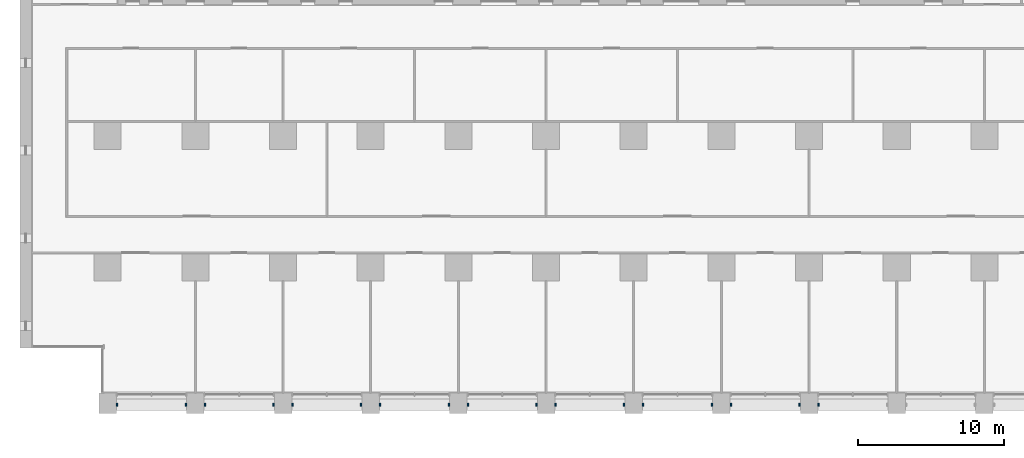
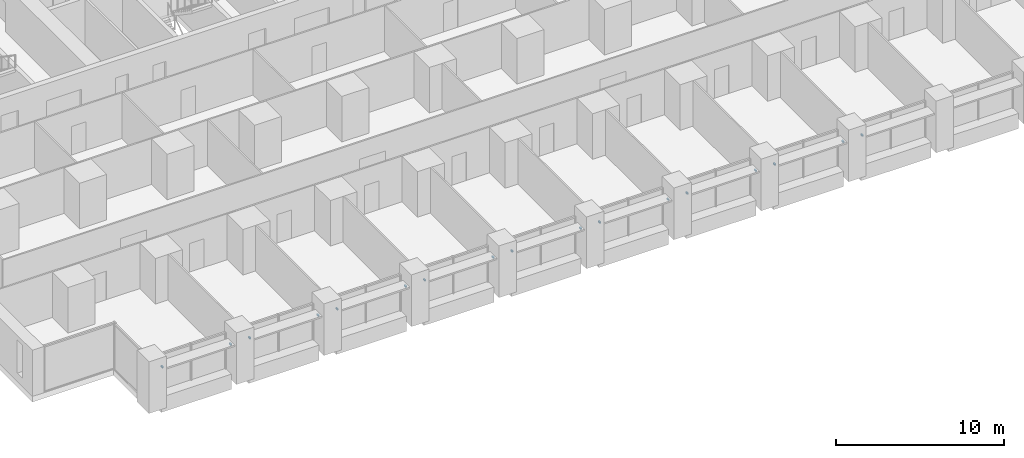
# One storey, part 15 of 18: 17 discrete accessories.
"""IFC4 building model written with IfcOpenShell, lengths in metres."""

from ifc_helpers import new_model, si_unit, direction, frame, origin, origin_2d, place, context, subcontext, project, spatial, rectangle, extrude, element, save


model = new_model("IFC4")

# Units and contexts
model_context = context("Model", 3, precision=1e-05, world=origin(), true_north=direction((0.0, 1.0)))
body_context = subcontext(model_context, "Body", "Model", "MODEL_VIEW")
ifc_project = project(units=[si_unit("LENGTHUNIT", "METRE"), si_unit("AREAUNIT", "SQUARE_METRE"), si_unit("VOLUMEUNIT", "CUBIC_METRE"), si_unit("PLANEANGLEUNIT", "RADIAN"), si_unit("MASSUNIT", "GRAM", prefix="KILO")], contexts=[model_context])

# Site, building, storey
site_placement = place(None, origin())
site = spatial("IfcSite", under=ifc_project, at=site_placement, CompositionType="ELEMENT")
building_placement = place(site_placement, origin())
building = spatial("IfcBuilding", under=site, at=building_placement, Name="Calvaro Tower", CompositionType="ELEMENT")
storey_placement = place(building_placement, frame((0.0, 0.0, 26.25)))
storey = spatial("IfcBuildingStorey", under=building, at=storey_placement, Name="L05", CompositionType="ELEMENT", Elevation=26.25)

# Discrete accessories
for number, where, z_axis, x_axis, name in (
    (1, (6.64990234375, 0.60009765625, 2.14990234375), (0.0, 0.0, 1.0), (1.0, 0.0, 0.0), "Brise-soleil bracket"),
    (2, (11.35009765625, 0.60009765625, 2.14990234375), (0.0, 0.0, 1.0), (1.0, 0.0, 0.0), "Brise-soleil bracket"),
    (3, (12.64990234375, 0.60009765625, 2.14990234375), (0.0, 0.0, 1.0), (1.0, 0.0, 0.0), "Brise-soleil bracket"),
    (4, (17.35009765625, 0.60009765625, 2.14990234375), (0.0, 0.0, 1.0), (1.0, 0.0, 0.0), "Brise-soleil bracket"),
    (5, (18.64990234375, 0.60009765625, 2.14990234375), (0.0, 0.0, 1.0), (1.0, 0.0, 0.0), "Brise-soleil bracket"),
    (6, (23.35009765625, 0.60009765625, 2.14990234375), (0.0, 0.0, 1.0), (1.0, 0.0, 0.0), "Brise-soleil bracket"),
    (7, (24.64990234375, 0.60009765625, 2.14990234375), (0.0, 0.0, 1.0), (1.0, 0.0, 0.0), "Brise-soleil bracket"),
    (8, (29.35009765625, 0.60009765625, 2.14990234375), (0.0, 0.0, 1.0), (1.0, 0.0, 0.0), "Brise-soleil bracket"),
    (9, (30.64990234375, 0.60009765625, 2.14990234375), (0.0, 0.0, 1.0), (1.0, 0.0, 0.0), "Brise-soleil bracket"),
    (10, (35.35009765625, 0.60009765625, 2.14990234375), (0.0, 0.0, 1.0), (1.0, 0.0, 0.0), "Brise-soleil bracket"),
    (11, (36.64990234375, 0.60009765625, 2.14990234375), (0.0, 0.0, 1.0), (1.0, 0.0, 0.0), "Brise-soleil bracket"),
    (12, (41.35009765625, 0.60009765625, 2.14990234375), (0.0, 0.0, 1.0), (1.0, 0.0, 0.0), "Brise-soleil bracket"),
    (13, (42.64990234375, 0.60009765625, 2.14990234375), (0.0, 0.0, 1.0), (1.0, 0.0, 0.0), "Brise-soleil bracket"),
    (14, (47.35009765625, 0.60009765625, 2.14990234375), (0.0, 0.0, 1.0), (1.0, 0.0, 0.0), "Brise-soleil bracket"),
    (15, (48.64990234375, 0.60009765625, 2.14990234375), (0.0, 0.0, 1.0), (1.0, 0.0, 0.0), "Brise-soleil bracket"),
    (16, (53.35009765625, 0.60009765625, 2.14990234375), (0.0, 0.0, 1.0), (1.0, 0.0, 0.0), "Brise-soleil bracket"),
    (17, (54.64990234375, 0.60009765625, 2.14990234375), (0.0, 0.0, 1.0), (1.0, 0.0, 0.0), "Brise-soleil bracket"),
):
    element("IfcDiscreteAccessory", number, at=place(storey_placement, frame(where, z_axis=z_axis, x_axis=x_axis)), inside=storey, Name=name, PredefinedType="BRACKET", context=body_context, shape_type="SweptSolid", body=[
        extrude(rectangle(XDim=0.10009765625, YDim=0.199951171875, at=origin_2d()), origin(), (0.0, 0.0, 1.0), 0.10009765625),
    ])

save(model, "model.ifc")
